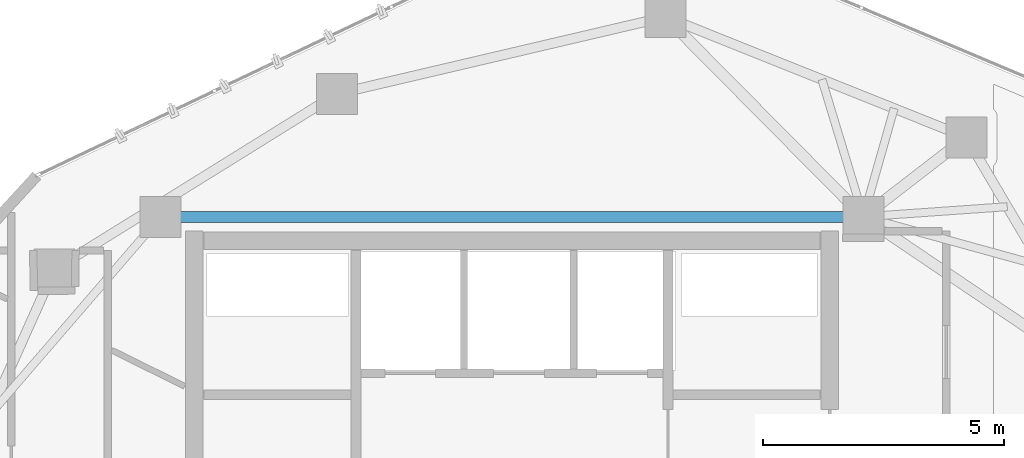
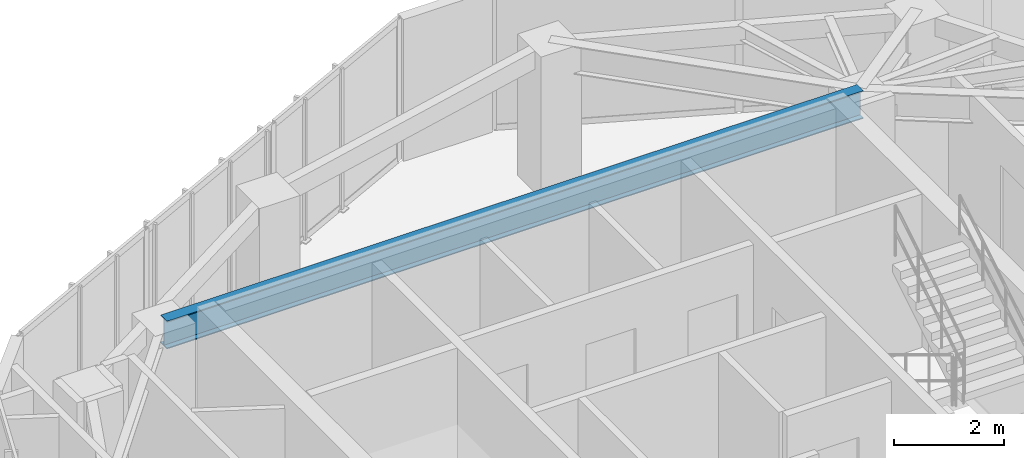
# One storey, part 10 of 20: 1 beam.
"""IFC4 building model written with IfcOpenShell, lengths in metres."""

from ifc_helpers import new_model, si_unit, direction, frame, origin, origin_2d, place, context, subcontext, project, spatial, i_section, extrude, material, material_profile, profile_set, type_object, element, save


model = new_model("IFC4")

# Units and contexts
model_context = context("Model", 3, precision=1e-05, world=origin(), true_north=direction((0.0, 1.0)))
body_context = subcontext(model_context, "Body", "Model", "MODEL_VIEW")
ifc_project = project(units=[si_unit("LENGTHUNIT", "METRE"), si_unit("AREAUNIT", "SQUARE_METRE"), si_unit("VOLUMEUNIT", "CUBIC_METRE"), si_unit("PLANEANGLEUNIT", "RADIAN"), si_unit("MASSUNIT", "GRAM", prefix="KILO")], contexts=[model_context])

# Site, building, storey
site_placement = place(None, origin())
site = spatial("IfcSite", under=ifc_project, at=site_placement, CompositionType="ELEMENT")
building_placement = place(site_placement, origin())
building = spatial("IfcBuilding", under=site, at=building_placement, Name="Talar Marvaseh", CompositionType="ELEMENT")
storey_placement = place(building_placement, frame((0.0, 0.0, 268.0)))
storey = spatial("IfcBuildingStorey", under=building, at=storey_placement, Name="L71", CompositionType="ELEMENT", Elevation=268.0)

# Beam
ifc_material = material(Name="Steel S355", Category="steel")
ifc_material_profile = material_profile(ifc_material, i_section(OverallWidth=0.22998046875, OverallDepth=0.616943359375, WebThickness=0.01318359375, FlangeThickness=0.022216796875, at=origin_2d()), Name="W610x140")
ifc_profile_set = profile_set([ifc_material_profile], Name="Steel S355")
beam_type = type_object("IfcBeamType", Name="Zone 4 Radial Floor Girder W610x140", PredefinedType="BEAM", material=ifc_profile_set)
beam_placement = place(storey_placement, frame((18.699951171875, 36.89990234375, 2.83154296875), z_axis=(1.0, 0.0, 0.0), x_axis=(0.0, 1.0, 0.0)))
element("IfcBeam", 1, at=beam_placement, inside=storey, type_object=beam_type, Name="L71 Zone 4 Radial Floor Girder W610x140", PredefinedType="BEAM", context=body_context, shape_type="SweptSolid", body=[
    extrude(i_section(OverallWidth=0.22998046875, OverallDepth=0.616943359375, WebThickness=0.01318359375, FlangeThickness=0.022216796875, at=origin_2d()), origin(), (0.0, 0.0, 1.0), 14.60009765625),
])

save(model, "model.ifc")
